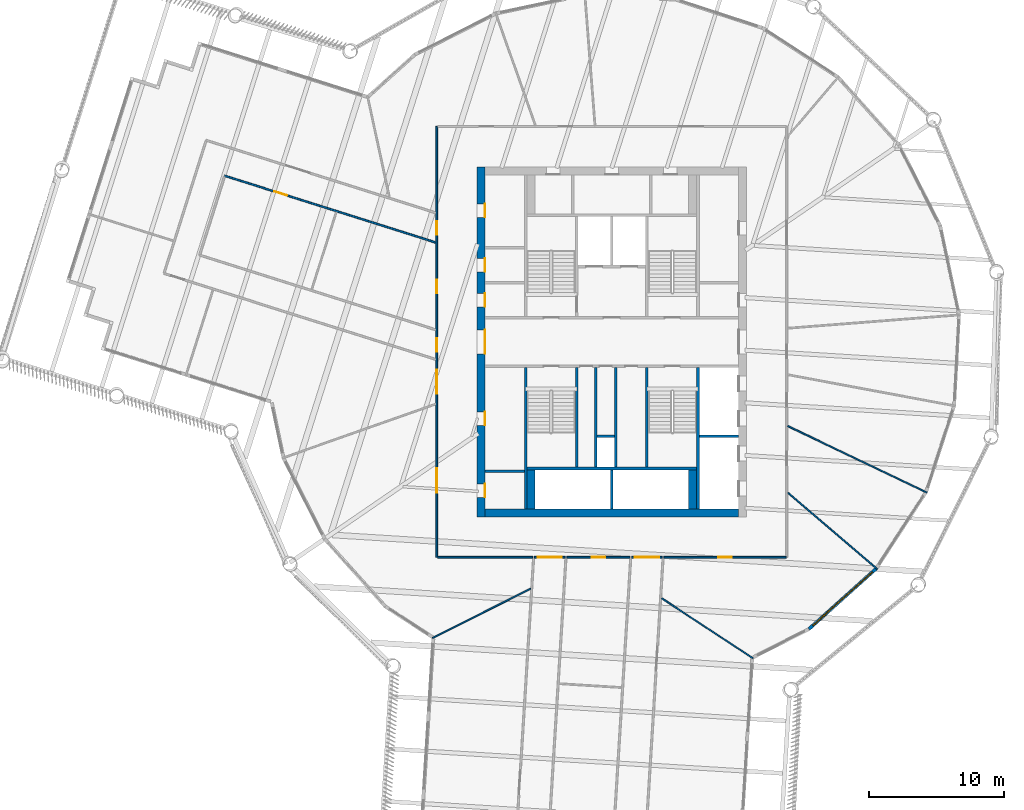
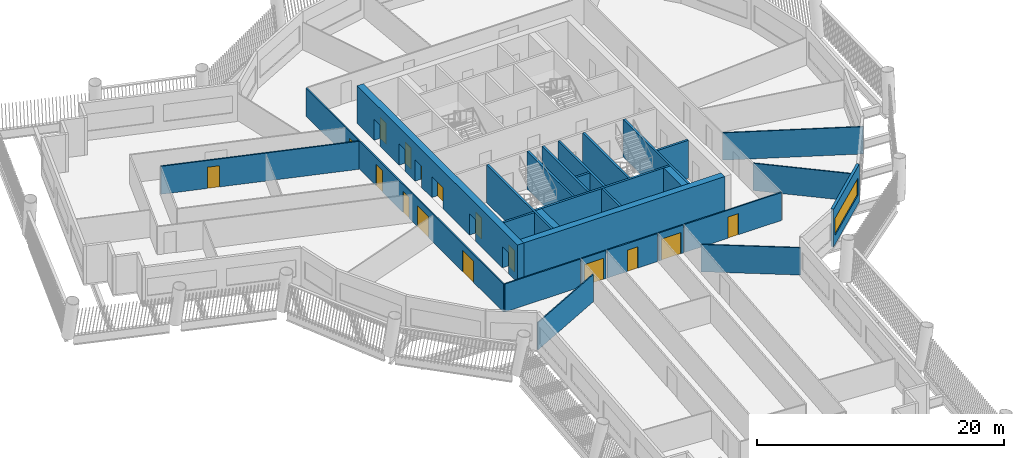
# One storey, part 4 of 15: 27 walls, 16 doors, 1 window, 17 openings.
"""IFC4 building model written with IfcOpenShell, lengths in metres."""

from ifc_helpers import new_model, si_unit, direction, frame, frame_2d, origin, place, context, subcontext, project, spatial, rectangle, extrude, material, layer, layer_set, type_object, element, fill, save


model = new_model("IFC4")

# Units and contexts
model_context = context("Model", 3, precision=1e-05, world=origin(), true_north=direction((0.0, 1.0)))
body_context = subcontext(model_context, "Body", "Model", "MODEL_VIEW")
ifc_project = project(units=[si_unit("LENGTHUNIT", "METRE"), si_unit("AREAUNIT", "SQUARE_METRE"), si_unit("VOLUMEUNIT", "CUBIC_METRE"), si_unit("PLANEANGLEUNIT", "RADIAN"), si_unit("MASSUNIT", "GRAM", prefix="KILO")], contexts=[model_context])

# Site, building, storey
site_placement = place(None, origin())
site = spatial("IfcSite", under=ifc_project, at=site_placement, CompositionType="ELEMENT")
building_placement = place(site_placement, origin())
building = spatial("IfcBuilding", under=site, at=building_placement, Name="Tarsis Ring Headquarters", CompositionType="ELEMENT")
storey_placement = place(building_placement, frame((0.0, 0.0, 212.10009765625)))
storey = spatial("IfcBuildingStorey", under=building, at=storey_placement, Name="L49", CompositionType="ELEMENT", Elevation=212.10009765625)

# Walls
ifc_material_1 = material(Name="Blockwork", Category="masonry")
ifc_layer_1 = layer(ifc_material_1, 0.199951171875)
ifc_layer_set_1 = layer_set([ifc_layer_1], Name="Core blockwork wall 200")
wall_type_1 = type_object("IfcWallType", Name="Core blockwork wall 200", PredefinedType="PARTITIONING", material=ifc_layer_set_1)
wall_1_placement = place(storey_placement, frame((-9.39990234375, -9.60009765625, 0.0), z_axis=(0.0, 0.0, 1.0), x_axis=(1.0, 0.0, 0.0)))
element("IfcWall", 1, at=wall_1_placement, inside=storey, type_object=wall_type_1, Name="Core partition WD1", PredefinedType="PARTITIONING", context=body_context, shape_type="SweptSolid", body=[
    extrude(rectangle(XDim=2.89990234375, YDim=0.199951171875, at=frame_2d((1.449951171875, 0.0))), origin(), (0.0, 0.0, 1.0), 3.739990234375),
])
wall_2_placement = place(storey_placement, frame((-1.10009765625, -7.0, 0.0), z_axis=(0.0, 0.0, 1.0), x_axis=(1.0, 0.0, 0.0)))
element("IfcWall", 2, at=wall_2_placement, inside=storey, type_object=wall_type_1, Name="Core partition SP2", PredefinedType="PARTITIONING", context=body_context, shape_type="SweptSolid", body=[
    extrude(rectangle(XDim=1.300048828125, YDim=0.199951171875, at=frame_2d((0.64990234375, 0.0))), origin(), (0.0, 0.0, 1.0), 3.739990234375),
])
for number, where, z_axis, x_axis, name in (
    (3, (-1.199951171875, -9.300048828125, 0.0), (0.0, 0.0, 1.0), (0.0, 1.0, 0.0), "Core partition SV1"),
    (4, (0.300048828125, -9.300048828125, 0.0), (0.0, 0.0, 1.0), (0.0, 1.0, 0.0), "Core partition SV2"),
):
    element("IfcWall", number, at=place(storey_placement, frame(where, z_axis=z_axis, x_axis=x_axis)), inside=storey, type_object=wall_type_1, Name=name, PredefinedType="PARTITIONING", context=body_context, shape_type="SweptSolid", body=[
        extrude(rectangle(XDim=7.400146484375, YDim=0.199951171875, at=frame_2d((3.7001953125, 0.0))), origin(), (0.0, 0.0, 1.0), 3.739990234375),
    ])

# Wall, openings, doors
ifc_material_2 = material(Name="Concrete C50/60", Category="concrete")
ifc_layer_2 = layer(ifc_material_2, 0.60009765625)
ifc_layer_set_2 = layer_set([ifc_layer_2], Name="Core wall 600 C50/60")
wall_type_2 = type_object("IfcWallType", Name="Core wall 600 C50/60", PredefinedType="SHEAR", material=ifc_layer_set_2)
wall_3_placement = place(storey_placement, frame((-9.699951171875, -13.0, 0.0), z_axis=(0.0, 0.0, 1.0), x_axis=(0.0, 1.0, 0.0)))
wall_3 = element("IfcWall", 5, at=wall_3_placement, inside=storey, type_object=wall_type_2, Name="Core wall OW", PredefinedType="SHEAR", context=body_context, shape_type="SweptSolid", body=[
    extrude(rectangle(XDim=26.0, YDim=0.60009765625, at=frame_2d((13.0, 0.0))), origin(), (0.0, 0.0, 1.0), 3.739990234375),
])
opening_1_placement = place(wall_3_placement, frame((1.449951171875, 0.0, 0.0)))
opening_1 = element("IfcOpeningElement", 6, at=opening_1_placement, cuts=wall_3, Name="Opening L49-C01", PredefinedType="OPENING", context=body_context, shape_type="SweptSolid", body=[
    extrude(rectangle(XDim=1.0, YDim=2.10009765625, at=frame_2d((0.5, 1.050048828125))), frame((0.0, 0.31005859375, 0.0), z_axis=(0.0, -1.0, 0.0), x_axis=(1.0, 0.0, 0.0)), (0.0, 0.0, 1.0), 0.6201171875),
])
opening_2_placement = place(wall_3_placement, frame((6.800048828125, 0.0, 0.0)))
opening_2 = element("IfcOpeningElement", 7, at=opening_2_placement, cuts=wall_3, Name="Opening L49-C02", PredefinedType="OPENING", context=body_context, shape_type="SweptSolid", body=[
    extrude(rectangle(XDim=1.0, YDim=2.10009765625, at=frame_2d((0.5, 1.050048828125))), frame((0.0, 0.31005859375, 0.0), z_axis=(0.0, -1.0, 0.0), x_axis=(1.0, 0.0, 0.0)), (0.0, 0.0, 1.0), 0.6201171875),
])
opening_3_placement = place(wall_3_placement, frame((12.10009765625, 0.0, 0.0)))
opening_3 = element("IfcOpeningElement", 8, at=opening_3_placement, cuts=wall_3, Name="Opening L49-C03", PredefinedType="OPENING", context=body_context, shape_type="SweptSolid", body=[
    extrude(rectangle(XDim=1.800048828125, YDim=2.10009765625, at=frame_2d((0.89990234375, 1.050048828125))), frame((0.0, 0.31005859375, 0.0), z_axis=(0.0, -1.0, 0.0), x_axis=(1.0, 0.0, 0.0)), (0.0, 0.0, 1.0), 0.6201171875),
])
opening_4_placement = place(wall_3_placement, frame((15.60009765625, 0.0, 0.0)))
opening_4 = element("IfcOpeningElement", 9, at=opening_4_placement, cuts=wall_3, Name="Opening L49-C04", PredefinedType="OPENING", context=body_context, shape_type="SweptSolid", body=[
    extrude(rectangle(XDim=1.0, YDim=2.10009765625, at=frame_2d((0.5, 1.050048828125))), frame((0.0, 0.31005859375, 0.0), z_axis=(0.0, -1.0, 0.0), x_axis=(1.0, 0.0, 0.0)), (0.0, 0.0, 1.0), 0.6201171875),
])
opening_5_placement = place(wall_3_placement, frame((18.199951171875, 0.0, 0.0)))
opening_5 = element("IfcOpeningElement", 10, at=opening_5_placement, cuts=wall_3, Name="Opening L49-C05", PredefinedType="OPENING", context=body_context, shape_type="SweptSolid", body=[
    extrude(rectangle(XDim=1.0, YDim=2.10009765625, at=frame_2d((0.5, 1.050048828125))), frame((0.0, 0.31005859375, 0.0), z_axis=(0.0, -1.0, 0.0), x_axis=(1.0, 0.0, 0.0)), (0.0, 0.0, 1.0), 0.6201171875),
])
opening_6_placement = place(wall_3_placement, frame((22.25, 0.0, 0.0)))
opening_6 = element("IfcOpeningElement", 11, at=opening_6_placement, cuts=wall_3, Name="Opening L49-C06", PredefinedType="OPENING", context=body_context, shape_type="SweptSolid", body=[
    extrude(rectangle(XDim=1.0, YDim=2.10009765625, at=frame_2d((0.5, 1.050048828125))), frame((0.0, 0.31005859375, 0.0), z_axis=(0.0, -1.0, 0.0), x_axis=(1.0, 0.0, 0.0)), (0.0, 0.0, 1.0), 0.6201171875),
])
ifc_material_3 = material(Name="Steel S355", Category="steel")
door_type_1 = type_object("IfcDoorType", Name="Core entry door 1800x2100", OperationType="DOUBLE_DOOR_SINGLE_SWING", PredefinedType="DOOR", material=ifc_material_3)
door_1_placement = place(opening_3_placement, origin())
door_1 = element("IfcDoor", 12, at=door_1_placement, inside=storey, type_object=door_type_1, Name="Core entry door L49", OperationType="DOUBLE_DOOR_SINGLE_SWING", OverallHeight=2.10009765625, OverallWidth=1.800048828125, PredefinedType="DOOR", context=body_context, shape_type="SweptSolid", body=[
    extrude(rectangle(XDim=1.800048828125, YDim=2.10009765625, at=frame_2d((0.89990234375, 1.050048828125))), frame((0.0, -0.25, 0.0), z_axis=(0.0, -1.0, 0.0), x_axis=(1.0, 0.0, 0.0)), (0.0, 0.0, 1.0), 0.050048828125),
])
fill(opening_3, door_1)
door_type_2 = type_object("IfcDoorType", Name="Core room door 1000x2100", OperationType="SINGLE_SWING_LEFT", PredefinedType="DOOR", material=ifc_material_3)
door_2_placement = place(opening_1_placement, origin())
door_2 = element("IfcDoor", 13, at=door_2_placement, inside=storey, type_object=door_type_2, Name="Core room door L49", OperationType="SINGLE_SWING_LEFT", OverallHeight=2.10009765625, OverallWidth=1.0, PredefinedType="DOOR", context=body_context, shape_type="SweptSolid", body=[
    extrude(rectangle(XDim=1.0, YDim=2.10009765625, at=frame_2d((0.5, 1.050048828125))), frame((0.0, -0.25, 0.0), z_axis=(0.0, -1.0, 0.0), x_axis=(1.0, 0.0, 0.0)), (0.0, 0.0, 1.0), 0.050048828125),
])
fill(opening_1, door_2)
door_3_placement = place(opening_2_placement, origin())
door_3 = element("IfcDoor", 14, at=door_3_placement, inside=storey, type_object=door_type_2, Name="Core room door L49", OperationType="SINGLE_SWING_LEFT", OverallHeight=2.10009765625, OverallWidth=1.0, PredefinedType="DOOR", context=body_context, shape_type="SweptSolid", body=[
    extrude(rectangle(XDim=1.0, YDim=2.10009765625, at=frame_2d((0.5, 1.050048828125))), frame((0.0, -0.25, 0.0), z_axis=(0.0, -1.0, 0.0), x_axis=(1.0, 0.0, 0.0)), (0.0, 0.0, 1.0), 0.050048828125),
])
fill(opening_2, door_3)
door_4_placement = place(opening_4_placement, origin())
door_4 = element("IfcDoor", 15, at=door_4_placement, inside=storey, type_object=door_type_2, Name="Core room door L49", OperationType="SINGLE_SWING_LEFT", OverallHeight=2.10009765625, OverallWidth=1.0, PredefinedType="DOOR", context=body_context, shape_type="SweptSolid", body=[
    extrude(rectangle(XDim=1.0, YDim=2.10009765625, at=frame_2d((0.5, 1.050048828125))), frame((0.0, -0.25, 0.0), z_axis=(0.0, -1.0, 0.0), x_axis=(1.0, 0.0, 0.0)), (0.0, 0.0, 1.0), 0.050048828125),
])
fill(opening_4, door_4)
door_5_placement = place(opening_5_placement, origin())
door_5 = element("IfcDoor", 16, at=door_5_placement, inside=storey, type_object=door_type_2, Name="Core room door L49", OperationType="SINGLE_SWING_LEFT", OverallHeight=2.10009765625, OverallWidth=1.0, PredefinedType="DOOR", context=body_context, shape_type="SweptSolid", body=[
    extrude(rectangle(XDim=1.0, YDim=2.10009765625, at=frame_2d((0.5, 1.050048828125))), frame((0.0, -0.25, 0.0), z_axis=(0.0, -1.0, 0.0), x_axis=(1.0, 0.0, 0.0)), (0.0, 0.0, 1.0), 0.050048828125),
])
fill(opening_5, door_5)
door_6_placement = place(opening_6_placement, origin())
door_6 = element("IfcDoor", 17, at=door_6_placement, inside=storey, type_object=door_type_2, Name="Core room door L49", OperationType="SINGLE_SWING_LEFT", OverallHeight=2.10009765625, OverallWidth=1.0, PredefinedType="DOOR", context=body_context, shape_type="SweptSolid", body=[
    extrude(rectangle(XDim=1.0, YDim=2.10009765625, at=frame_2d((0.5, 1.050048828125))), frame((0.0, -0.25, 0.0), z_axis=(0.0, -1.0, 0.0), x_axis=(1.0, 0.0, 0.0)), (0.0, 0.0, 1.0), 0.050048828125),
])
fill(opening_6, door_6)

# Walls
wall_4_placement = place(storey_placement, frame((-9.39990234375, -12.699951171875, 0.0), z_axis=(0.0, 0.0, 1.0), x_axis=(1.0, 0.0, 0.0)))
element("IfcWall", 18, at=wall_4_placement, inside=storey, type_object=wall_type_2, Name="Core wall OS", PredefinedType="SHEAR", context=body_context, shape_type="SweptSolid", body=[
    extrude(rectangle(XDim=18.7998046875, YDim=0.60009765625, at=frame_2d((9.39990234375, 0.0))), origin(), (0.0, 0.0, 1.0), 3.739990234375),
])
ifc_material_4 = material(Name="Gypsum board on steel studs", Category="steel")
ifc_layer_3 = layer(ifc_material_4, 0.10009765625)
ifc_layer_set_3 = layer_set([ifc_layer_3], Name="FL partition 100 unrated")
wall_type_3 = type_object("IfcWallType", Name="FL partition 100 unrated", PredefinedType="PARTITIONING", material=ifc_layer_set_3)
wall_5_placement = place(storey_placement, frame((13.072265625, -6.251953125, 0.0), z_axis=(0.0, 0.0, 1.0), x_axis=(0.902135303446, -0.43145323533, 0.0)))
element("IfcWall", 19, at=wall_5_placement, inside=storey, type_object=wall_type_3, Name="Partition PW3", PredefinedType="PARTITIONING", context=body_context, shape_type="SweptSolid", body=[
    extrude(rectangle(XDim=11.45751953125, YDim=0.10009765625, at=frame_2d((5.728759765625, 0.0))), origin(), (0.0, 0.0, 1.0), 2.699951171875),
])
wall_6_placement = place(storey_placement, frame((13.08349609375, -11.197998046875, 0.0), z_axis=(0.0, 0.0, 1.0), x_axis=(0.759722475887, -0.650247460304, 0.0)))
element("IfcWall", 20, at=wall_6_placement, inside=storey, type_object=wall_type_3, Name="Partition PW3", PredefinedType="PARTITIONING", context=body_context, shape_type="SweptSolid", body=[
    extrude(rectangle(XDim=8.726318359375, YDim=0.10009765625, at=frame_2d((4.36328125, 0.0))), origin(), (0.0, 0.0, 1.0), 2.699951171875),
])
wall_7_placement = place(storey_placement, frame((-13.31640625, -21.994873046875, 0.0), z_axis=(0.0, 0.0, 1.0), x_axis=(0.893443163802, 0.449176260566, 0.0)))
element("IfcWall", 21, at=wall_7_placement, inside=storey, type_object=wall_type_3, Name="Partition PW3", PredefinedType="PARTITIONING", context=body_context, shape_type="SweptSolid", body=[
    extrude(rectangle(XDim=8.15576171875, YDim=0.10009765625, at=frame_2d((4.077880859375, 0.0))), origin(), (0.0, 0.0, 1.0), 2.699951171875),
])
wall_8_placement = place(storey_placement, frame((3.7041015625, -19.042724609375, 0.0), z_axis=(0.0, 0.0, 1.0), x_axis=(0.835716130883, -0.549161677999, 0.0)))
element("IfcWall", 22, at=wall_8_placement, inside=storey, type_object=wall_type_3, Name="Partition PW3", PredefinedType="PARTITIONING", context=body_context, shape_type="SweptSolid", body=[
    extrude(rectangle(XDim=8.115234375, YDim=0.10009765625, at=frame_2d((4.0576171875, 0.0))), origin(), (0.0, 0.0, 1.0), 2.699951171875),
])

# Wall, openings, doors
ifc_layer_4 = layer(ifc_material_4, 0.125)
ifc_layer_set_4 = layer_set([ifc_layer_4], Name="FL partition 125 EI 60 H2770")
wall_type_4 = type_object("IfcWallType", Name="FL partition 125 EI 60 H2770", PredefinedType="PARTITIONING", material=ifc_layer_set_4)
wall_9_placement = place(storey_placement, frame((-13.0, -16.0, 0.0), z_axis=(0.0, 0.0, 1.0), x_axis=(0.0, 1.0, 0.0)))
wall_9 = element("IfcWall", 23, at=wall_9_placement, inside=storey, type_object=wall_type_4, Name="Partition PW1", PredefinedType="PARTITIONING", context=body_context, shape_type="SweptSolid", body=[
    extrude(rectangle(XDim=32.0, YDim=0.125, at=frame_2d((16.0, 0.0))), origin(), (0.0, 0.0, 1.0), 2.77001953125),
])
opening_7_placement = place(wall_9_placement, frame((4.805908203125, 0.0, 0.0)))
opening_7 = element("IfcOpeningElement", 24, at=opening_7_placement, cuts=wall_9, Name="Opening D49.15", PredefinedType="OPENING", context=body_context, shape_type="SweptSolid", body=[
    extrude(rectangle(XDim=1.800048828125, YDim=2.10009765625, at=frame_2d((0.89990234375, 1.050048828125))), frame((0.0, 0.072509765625, 0.0), z_axis=(0.0, -1.0, 0.0), x_axis=(1.0, 0.0, 0.0)), (0.0, 0.0, 1.0), 0.14501953125),
])
opening_8_placement = place(wall_9_placement, frame((12.14111328125, 0.0, 0.0)))
opening_8 = element("IfcOpeningElement", 25, at=opening_8_placement, cuts=wall_9, Name="Opening D49.16", PredefinedType="OPENING", context=body_context, shape_type="SweptSolid", body=[
    extrude(rectangle(XDim=1.800048828125, YDim=2.10009765625, at=frame_2d((0.89990234375, 1.050048828125))), frame((0.0, 0.072509765625, 0.0), z_axis=(0.0, -1.0, 0.0), x_axis=(1.0, 0.0, 0.0)), (0.0, 0.0, 1.0), 0.14501953125),
])
opening_9_placement = place(wall_9_placement, frame((19.614013671875, 0.0, 0.0)))
opening_9 = element("IfcOpeningElement", 26, at=opening_9_placement, cuts=wall_9, Name="Opening D49.17", PredefinedType="OPENING", context=body_context, shape_type="SweptSolid", body=[
    extrude(rectangle(XDim=1.0, YDim=2.10009765625, at=frame_2d((0.5, 1.050048828125))), frame((0.0, 0.072509765625, 0.0), z_axis=(0.0, -1.0, 0.0), x_axis=(1.0, 0.0, 0.0)), (0.0, 0.0, 1.0), 0.14501953125),
])
opening_10_placement = place(wall_9_placement, frame((15.271484375, 0.0, 0.0)))
opening_10 = element("IfcOpeningElement", 27, at=opening_10_placement, cuts=wall_9, Name="Opening D49.23", PredefinedType="OPENING", context=body_context, shape_type="SweptSolid", body=[
    extrude(rectangle(XDim=1.0, YDim=2.10009765625, at=frame_2d((0.5, 1.050048828125))), frame((0.0, 0.072509765625, 0.0), z_axis=(0.0, -1.0, 0.0), x_axis=(1.0, 0.0, 0.0)), (0.0, 0.0, 1.0), 0.14501953125),
])
opening_11_placement = place(wall_9_placement, frame((23.956298828125, 0.0, 0.0)))
opening_11 = element("IfcOpeningElement", 28, at=opening_11_placement, cuts=wall_9, Name="Opening D49.24", PredefinedType="OPENING", context=body_context, shape_type="SweptSolid", body=[
    extrude(rectangle(XDim=1.0, YDim=2.10009765625, at=frame_2d((0.5, 1.050048828125))), frame((0.0, 0.072509765625, 0.0), z_axis=(0.0, -1.0, 0.0), x_axis=(1.0, 0.0, 0.0)), (0.0, 0.0, 1.0), 0.14501953125),
])
ifc_material_5 = material(Name="Fire-rated timber door leaf in steel frame", Category="steel")
door_type_3 = type_object("IfcDoorType", Name="FL door FD60-1000", OperationType="NOTDEFINED", PredefinedType="DOOR", material=ifc_material_5)
door_7_placement = place(opening_9_placement, origin())
door_7 = element("IfcDoor", 29, at=door_7_placement, inside=storey, type_object=door_type_3, Name="Door D49.17", OperationType="SINGLE_SWING_RIGHT", OverallHeight=2.10009765625, OverallWidth=1.0, PredefinedType="DOOR", context=body_context, shape_type="SweptSolid", body=[
    extrude(rectangle(XDim=1.0, YDim=2.10009765625, at=frame_2d((0.5, 1.050048828125))), frame((0.0, 0.02490234375, 0.0), z_axis=(0.0, -1.0, 0.0), x_axis=(1.0, 0.0, 0.0)), (0.0, 0.0, 1.0), 0.050048828125),
])
fill(opening_9, door_7)
door_8_placement = place(opening_10_placement, origin())
door_8 = element("IfcDoor", 30, at=door_8_placement, inside=storey, type_object=door_type_3, Name="Door D49.23", OperationType="SINGLE_SWING_RIGHT", OverallHeight=2.10009765625, OverallWidth=1.0, PredefinedType="DOOR", context=body_context, shape_type="SweptSolid", body=[
    extrude(rectangle(XDim=1.0, YDim=2.10009765625, at=frame_2d((0.5, 1.050048828125))), frame((0.0, 0.02490234375, 0.0), z_axis=(0.0, -1.0, 0.0), x_axis=(1.0, 0.0, 0.0)), (0.0, 0.0, 1.0), 0.050048828125),
])
fill(opening_10, door_8)
door_9_placement = place(opening_11_placement, origin())
door_9 = element("IfcDoor", 31, at=door_9_placement, inside=storey, type_object=door_type_3, Name="Door D49.24", OperationType="SINGLE_SWING_LEFT", OverallHeight=2.10009765625, OverallWidth=1.0, PredefinedType="DOOR", context=body_context, shape_type="SweptSolid", body=[
    extrude(rectangle(XDim=1.0, YDim=2.10009765625, at=frame_2d((0.5, 1.050048828125))), frame((0.0, 0.02490234375, 0.0), z_axis=(0.0, -1.0, 0.0), x_axis=(1.0, 0.0, 0.0)), (0.0, 0.0, 1.0), 0.050048828125),
])
fill(opening_11, door_9)
door_type_4 = type_object("IfcDoorType", Name="FL door FD60-1800", OperationType="DOUBLE_DOOR_SINGLE_SWING", PredefinedType="DOOR", material=ifc_material_5)
door_10_placement = place(opening_7_placement, origin())
door_10 = element("IfcDoor", 32, at=door_10_placement, inside=storey, type_object=door_type_4, Name="Door D49.15", OperationType="DOUBLE_DOOR_SINGLE_SWING", OverallHeight=2.10009765625, OverallWidth=1.800048828125, PredefinedType="DOOR", context=body_context, shape_type="SweptSolid", body=[
    extrude(rectangle(XDim=1.800048828125, YDim=2.10009765625, at=frame_2d((0.89990234375, 1.050048828125))), frame((0.0, 0.02490234375, 0.0), z_axis=(0.0, -1.0, 0.0), x_axis=(1.0, 0.0, 0.0)), (0.0, 0.0, 1.0), 0.050048828125),
])
fill(opening_7, door_10)
door_11_placement = place(opening_8_placement, origin())
door_11 = element("IfcDoor", 33, at=door_11_placement, inside=storey, type_object=door_type_4, Name="Door D49.16", OperationType="DOUBLE_DOOR_SINGLE_SWING", OverallHeight=2.10009765625, OverallWidth=1.800048828125, PredefinedType="DOOR", context=body_context, shape_type="SweptSolid", body=[
    extrude(rectangle(XDim=1.800048828125, YDim=2.10009765625, at=frame_2d((0.89990234375, 1.050048828125))), frame((0.0, 0.02490234375, 0.0), z_axis=(0.0, -1.0, 0.0), x_axis=(1.0, 0.0, 0.0)), (0.0, 0.0, 1.0), 0.050048828125),
])
fill(opening_8, door_11)

# Wall
wall_10_placement = place(storey_placement, frame((-12.93994140625, -16.0, 0.0), z_axis=(0.0, 0.0, 1.0), x_axis=(1.0, 0.0, 0.0)))
element("IfcWall", 34, at=wall_10_placement, inside=storey, type_object=wall_type_4, Name="Partition PW1", PredefinedType="PARTITIONING", context=body_context, shape_type="SweptSolid", body=[
    extrude(rectangle(XDim=7.06884765625, YDim=0.125, at=frame_2d((3.534423828125, 0.0))), origin(), (0.0, 0.0, 1.0), 2.77001953125),
])

# Wall, opening, door
wall_11_placement = place(storey_placement, frame((-5.7421875, -16.0, 0.0), z_axis=(0.0, 0.0, 1.0), x_axis=(1.0, 0.0, 0.0)))
wall_11 = element("IfcWall", 35, at=wall_11_placement, inside=storey, type_object=wall_type_4, Name="Partition PW1", PredefinedType="PARTITIONING", context=body_context, shape_type="SweptSolid", body=[
    extrude(rectangle(XDim=2.275634765625, YDim=0.125, at=frame_2d((1.1376953125, 0.0))), origin(), (0.0, 0.0, 1.0), 2.77001953125),
])
opening_12_placement = place(wall_11_placement, frame((0.239990234375, 0.0, 0.0)))
opening_12 = element("IfcOpeningElement", 36, at=opening_12_placement, cuts=wall_11, Name="Opening D49.21", PredefinedType="OPENING", context=body_context, shape_type="SweptSolid", body=[
    extrude(rectangle(XDim=1.800048828125, YDim=2.10009765625, at=frame_2d((0.89990234375, 1.050048828125))), frame((0.0, 0.072509765625, 0.0), z_axis=(0.0, -1.0, 0.0), x_axis=(1.0, 0.0, 0.0)), (0.0, 0.0, 1.0), 0.14501953125),
])
door_12_placement = place(opening_12_placement, origin())
door_12 = element("IfcDoor", 37, at=door_12_placement, inside=storey, type_object=door_type_4, Name="Door D49.21", OperationType="DOUBLE_DOOR_SINGLE_SWING", OverallHeight=2.10009765625, OverallWidth=1.800048828125, PredefinedType="DOOR", context=body_context, shape_type="SweptSolid", body=[
    extrude(rectangle(XDim=1.800048828125, YDim=2.10009765625, at=frame_2d((0.89990234375, 1.050048828125))), frame((0.0, 0.02490234375, 0.0), z_axis=(0.0, -1.0, 0.0), x_axis=(1.0, 0.0, 0.0)), (0.0, 0.0, 1.0), 0.050048828125),
])
fill(opening_12, door_12)

wall_12_placement = place(storey_placement, frame((-3.337646484375, -16.0, 0.0), z_axis=(0.0, 0.0, 1.0), x_axis=(1.0, 0.0, 0.0)))
wall_12 = element("IfcWall", 38, at=wall_12_placement, inside=storey, type_object=wall_type_4, Name="Partition PW1", PredefinedType="PARTITIONING", context=body_context, shape_type="SweptSolid", body=[
    extrude(rectangle(XDim=4.680419921875, YDim=0.125, at=frame_2d((2.34033203125, 0.0))), origin(), (0.0, 0.0, 1.0), 2.77001953125),
])
opening_13_placement = place(wall_12_placement, frame((1.84228515625, 0.0, 0.0)))
opening_13 = element("IfcOpeningElement", 39, at=opening_13_placement, cuts=wall_12, Name="Opening D49.19", PredefinedType="OPENING", context=body_context, shape_type="SweptSolid", body=[
    extrude(rectangle(XDim=1.0, YDim=2.10009765625, at=frame_2d((0.5, 1.050048828125))), frame((0.0, 0.072509765625, 0.0), z_axis=(0.0, -1.0, 0.0), x_axis=(1.0, 0.0, 0.0)), (0.0, 0.0, 1.0), 0.14501953125),
])
door_13_placement = place(opening_13_placement, origin())
door_13 = element("IfcDoor", 40, at=door_13_placement, inside=storey, type_object=door_type_3, Name="Door D49.19", OperationType="SINGLE_SWING_RIGHT", OverallHeight=2.10009765625, OverallWidth=1.0, PredefinedType="DOOR", context=body_context, shape_type="SweptSolid", body=[
    extrude(rectangle(XDim=1.0, YDim=2.10009765625, at=frame_2d((0.5, 1.050048828125))), frame((0.0, 0.02490234375, 0.0), z_axis=(0.0, -1.0, 0.0), x_axis=(1.0, 0.0, 0.0)), (0.0, 0.0, 1.0), 0.050048828125),
])
fill(opening_13, door_13)

wall_13_placement = place(storey_placement, frame((1.4716796875, -16.0, 0.0), z_axis=(0.0, 0.0, 1.0), x_axis=(1.0, 0.0, 0.0)))
wall_13 = element("IfcWall", 41, at=wall_13_placement, inside=storey, type_object=wall_type_4, Name="Partition PW1", PredefinedType="PARTITIONING", context=body_context, shape_type="SweptSolid", body=[
    extrude(rectangle(XDim=2.275634765625, YDim=0.125, at=frame_2d((1.1376953125, 0.0))), origin(), (0.0, 0.0, 1.0), 2.77001953125),
])
opening_14_placement = place(wall_13_placement, frame((0.239990234375, 0.0, 0.0)))
opening_14 = element("IfcOpeningElement", 42, at=opening_14_placement, cuts=wall_13, Name="Opening D49.22", PredefinedType="OPENING", context=body_context, shape_type="SweptSolid", body=[
    extrude(rectangle(XDim=1.800048828125, YDim=2.10009765625, at=frame_2d((0.89990234375, 1.050048828125))), frame((0.0, 0.072509765625, 0.0), z_axis=(0.0, -1.0, 0.0), x_axis=(1.0, 0.0, 0.0)), (0.0, 0.0, 1.0), 0.14501953125),
])
door_14_placement = place(opening_14_placement, origin())
door_14 = element("IfcDoor", 43, at=door_14_placement, inside=storey, type_object=door_type_4, Name="Door D49.22", OperationType="DOUBLE_DOOR_SINGLE_SWING", OverallHeight=2.10009765625, OverallWidth=1.800048828125, PredefinedType="DOOR", context=body_context, shape_type="SweptSolid", body=[
    extrude(rectangle(XDim=1.800048828125, YDim=2.10009765625, at=frame_2d((0.89990234375, 1.050048828125))), frame((0.0, 0.02490234375, 0.0), z_axis=(0.0, -1.0, 0.0), x_axis=(1.0, 0.0, 0.0)), (0.0, 0.0, 1.0), 0.050048828125),
])
fill(opening_14, door_14)

wall_14_placement = place(storey_placement, frame((3.876220703125, -16.0, 0.0), z_axis=(0.0, 0.0, 1.0), x_axis=(1.0, 0.0, 0.0)))
wall_14 = element("IfcWall", 44, at=wall_14_placement, inside=storey, type_object=wall_type_4, Name="Partition PW1", PredefinedType="PARTITIONING", context=body_context, shape_type="SweptSolid", body=[
    extrude(rectangle(XDim=9.063720703125, YDim=0.125, at=frame_2d((4.53173828125, 0.0))), origin(), (0.0, 0.0, 1.0), 2.77001953125),
])
opening_15_placement = place(wall_14_placement, frame((4.03076171875, 0.0, 0.0)))
opening_15 = element("IfcOpeningElement", 45, at=opening_15_placement, cuts=wall_14, Name="Opening D49.10", PredefinedType="OPENING", context=body_context, shape_type="SweptSolid", body=[
    extrude(rectangle(XDim=1.0, YDim=2.10009765625, at=frame_2d((0.5, 1.050048828125))), frame((0.0, 0.072509765625, 0.0), z_axis=(0.0, -1.0, 0.0), x_axis=(1.0, 0.0, 0.0)), (0.0, 0.0, 1.0), 0.14501953125),
])
door_15_placement = place(opening_15_placement, origin())
door_15 = element("IfcDoor", 46, at=door_15_placement, inside=storey, type_object=door_type_3, Name="Door D49.10", OperationType="SINGLE_SWING_LEFT", OverallHeight=2.10009765625, OverallWidth=1.0, PredefinedType="DOOR", context=body_context, shape_type="SweptSolid", body=[
    extrude(rectangle(XDim=1.0, YDim=2.10009765625, at=frame_2d((0.5, 1.050048828125))), frame((0.0, 0.02490234375, 0.0), z_axis=(0.0, -1.0, 0.0), x_axis=(1.0, 0.0, 0.0)), (0.0, 0.0, 1.0), 0.050048828125),
])
fill(opening_15, door_15)

wall_15_placement = place(storey_placement, frame((-28.756591796875, 12.341064453125, 0.0), z_axis=(0.0, 0.0, 1.0), x_axis=(0.953398745659, -0.301713161423, 0.0)))
wall_15 = element("IfcWall", 47, at=wall_15_placement, inside=storey, type_object=wall_type_4, Name="Partition PW1", PredefinedType="PARTITIONING", context=body_context, shape_type="SweptSolid", body=[
    extrude(rectangle(XDim=16.446533203125, YDim=0.125, at=frame_2d((8.22314453125, 0.0))), origin(), (0.0, 0.0, 1.0), 2.77001953125),
])
opening_16_placement = place(wall_15_placement, frame((3.85791015625, 0.0, 0.0)))
opening_16 = element("IfcOpeningElement", 48, at=opening_16_placement, cuts=wall_15, Name="Opening D49.18", PredefinedType="OPENING", context=body_context, shape_type="SweptSolid", body=[
    extrude(rectangle(XDim=1.0, YDim=2.10009765625, at=frame_2d((0.5, 1.050048828125))), frame((0.0, 0.072509765625, 0.0), z_axis=(0.0, -1.0, 0.0), x_axis=(1.0, 0.0, 0.0)), (0.0, 0.0, 1.0), 0.14501953125),
])
door_16_placement = place(opening_16_placement, origin())
door_16 = element("IfcDoor", 49, at=door_16_placement, inside=storey, type_object=door_type_3, Name="Door D49.18", OperationType="SINGLE_SWING_LEFT", OverallHeight=2.10009765625, OverallWidth=1.0, PredefinedType="DOOR", context=body_context, shape_type="SweptSolid", body=[
    extrude(rectangle(XDim=1.0, YDim=2.10009765625, at=frame_2d((0.5, 1.050048828125))), frame((0.0, 0.02490234375, 0.0), z_axis=(0.0, -1.0, 0.0), x_axis=(1.0, 0.0, 0.0)), (0.0, 0.0, 1.0), 0.050048828125),
])
fill(opening_16, door_16)

# Wall, opening, window
ifc_material_6 = material(Name="Terracotta clad insulated panel wall", Category="masonry")
ifc_layer_5 = layer(ifc_material_6, 0.25)
ifc_layer_set_5 = layer_set([ifc_layer_5], Name="Facade wall terracotta panel 250")
wall_type_5 = type_object("IfcWallType", Name="Facade wall terracotta panel 250", PredefinedType="STANDARD", material=ifc_layer_set_5)
wall_16_placement = place(storey_placement, frame((14.64501953125, -21.32763671875, 0.0), z_axis=(0.0, 0.0, 1.0), x_axis=(0.743855583945, 0.668340385009, 0.0)))
wall_16 = element("IfcWall", 50, at=wall_16_placement, inside=storey, type_object=wall_type_5, Name="External wall L49-18", PredefinedType="STANDARD", context=body_context, shape_type="SweptSolid", body=[
    extrude(rectangle(XDim=6.721435546875, YDim=0.25, at=frame_2d((3.36083984375, 0.0))), origin(), (0.0, 0.0, 1.0), 3.739990234375),
])
opening_17_placement = place(wall_16_placement, frame((0.3857421875, 0.0, 0.89990234375)))
opening_17 = element("IfcOpeningElement", 51, at=opening_17_placement, cuts=wall_16, Name="Opening WN07", PredefinedType="OPENING", context=body_context, shape_type="SweptSolid", body=[
    extrude(rectangle(XDim=5.949951171875, YDim=1.699951171875, at=frame_2d((2.97509765625, 0.85009765625))), frame((0.0, 0.135009765625, 0.0), z_axis=(0.0, -1.0, 0.0), x_axis=(1.0, 0.0, 0.0)), (0.0, 0.0, 1.0), 0.27001953125),
])
ifc_material_7 = material(Name="Aluminium framed double glazing", Category="aluminium")
window_type = type_object("IfcWindowType", Name="Facade window 5950 x 1700", PartitioningType="SINGLE_PANEL", PredefinedType="WINDOW", material=ifc_material_7)
window_placement = place(opening_17_placement, origin())
window = element("IfcWindow", 52, at=window_placement, inside=storey, type_object=window_type, Name="Window L49-18.1", OverallHeight=1.699951171875, OverallWidth=5.949951171875, PartitioningType="SINGLE_PANEL", PredefinedType="WINDOW", context=body_context, shape_type="SweptSolid", body=[
    extrude(rectangle(XDim=5.949951171875, YDim=1.699951171875, at=frame_2d((2.97509765625, 0.85009765625))), frame((0.0, 0.030029296875, 0.0), z_axis=(0.0, -1.0, 0.0), x_axis=(1.0, 0.0, 0.0)), (0.0, 0.0, 1.0), 0.06005859375),
])
fill(opening_17, window)

# Walls
ifc_material_8 = material(Name="Concrete C32/40", Category="concrete")
ifc_layer_6 = layer(ifc_material_8, 0.60009765625)
ifc_layer_set_6 = layer_set([ifc_layer_6], Name="Shaft end wall 600 C32/40")
wall_type_6 = type_object("IfcWallType", Name="Shaft end wall 600 C32/40", PredefinedType="SOLIDWALL", material=ifc_layer_set_6)
for number, where, z_axis, x_axis, name in (
    (53, (-6.0, -12.39990234375, 0.0), (0.0, 0.0, 1.0), (0.0, 1.0, 0.0), "Core shaft wall SNE1"),
    (54, (6.0, -12.39990234375, 0.0), (0.0, 0.0, 1.0), (0.0, 1.0, 0.0), "Core shaft wall SNE2"),
):
    element("IfcWall", number, at=place(storey_placement, frame(where, z_axis=z_axis, x_axis=x_axis)), inside=storey, type_object=wall_type_6, Name=name, PredefinedType="SOLIDWALL", context=body_context, shape_type="SweptSolid", body=[
        extrude(rectangle(XDim=2.89990234375, YDim=0.60009765625, at=frame_2d((1.449951171875, 0.0))), origin(), (0.0, 0.0, 1.0), 3.739990234375),
    ])
ifc_layer_7 = layer(ifc_material_8, 0.199951171875)
ifc_layer_set_7 = layer_set([ifc_layer_7], Name="Shaft wall 200 C32/40")
wall_type_7 = type_object("IfcWallType", Name="Shaft wall 200 C32/40", PredefinedType="SOLIDWALL", material=ifc_layer_set_7)
for number, where, z_axis, x_axis, name in (
    (55, (-6.39990234375, -12.39990234375, 0.0), (0.0, 0.0, 1.0), (0.0, 1.0, 0.0), "Core shaft wall WB1"),
    (56, (6.39990234375, -12.39990234375, 0.0), (0.0, 0.0, 1.0), (0.0, 1.0, 0.0), "Core shaft wall EB1"),
):
    element("IfcWall", number, at=place(storey_placement, frame(where, z_axis=z_axis, x_axis=x_axis)), inside=storey, type_object=wall_type_7, Name=name, PredefinedType="SOLIDWALL", context=body_context, shape_type="SweptSolid", body=[
        extrude(rectangle(XDim=10.5, YDim=0.199951171875, at=frame_2d((5.25, 0.0))), origin(), (0.0, 0.0, 1.0), 3.739990234375),
    ])
wall_17_placement = place(storey_placement, frame((-6.300048828125, -9.39990234375, 0.0), z_axis=(0.0, 0.0, 1.0), x_axis=(1.0, 0.0, 0.0)))
element("IfcWall", 57, at=wall_17_placement, inside=storey, type_object=wall_type_7, Name="Core shaft wall SB", PredefinedType="SOLIDWALL", context=body_context, shape_type="SweptSolid", body=[
    extrude(rectangle(XDim=12.60009765625, YDim=0.199951171875, at=frame_2d((6.300048828125, 0.0))), origin(), (0.0, 0.0, 1.0), 3.739990234375),
])
for number, where, z_axis, x_axis, name in (
    (58, (-2.60009765625, -9.300048828125, 0.0), (0.0, 0.0, 1.0), (0.0, 1.0, 0.0), "Core shaft wall SW3"),
    (59, (2.60009765625, -9.300048828125, 0.0), (0.0, 0.0, 1.0), (0.0, 1.0, 0.0), "Core shaft wall SW4"),
):
    element("IfcWall", number, at=place(storey_placement, frame(where, z_axis=z_axis, x_axis=x_axis)), inside=storey, type_object=wall_type_7, Name=name, PredefinedType="SOLIDWALL", context=body_context, shape_type="SweptSolid", body=[
        extrude(rectangle(XDim=7.400146484375, YDim=0.199951171875, at=frame_2d((3.7001953125, 0.0))), origin(), (0.0, 0.0, 1.0), 3.739990234375),
    ])
for number, where, z_axis, x_axis, name in (
    (60, (6.5, -7.0, 0.0), (0.0, 0.0, 1.0), (1.0, 0.0, 0.0), "Core shaft wall ED2"),
    (61, (0.0, -12.39990234375, 0.0), (0.0, 0.0, 1.0), (0.0, 1.0, 0.0), "Core shaft wall SD2"),
):
    element("IfcWall", number, at=place(storey_placement, frame(where, z_axis=z_axis, x_axis=x_axis)), inside=storey, type_object=wall_type_7, Name=name, PredefinedType="SOLIDWALL", context=body_context, shape_type="SweptSolid", body=[
        extrude(rectangle(XDim=2.89990234375, YDim=0.199951171875, at=frame_2d((1.449951171875, 0.0))), origin(), (0.0, 0.0, 1.0), 3.739990234375),
    ])

save(model, "model.ifc")
